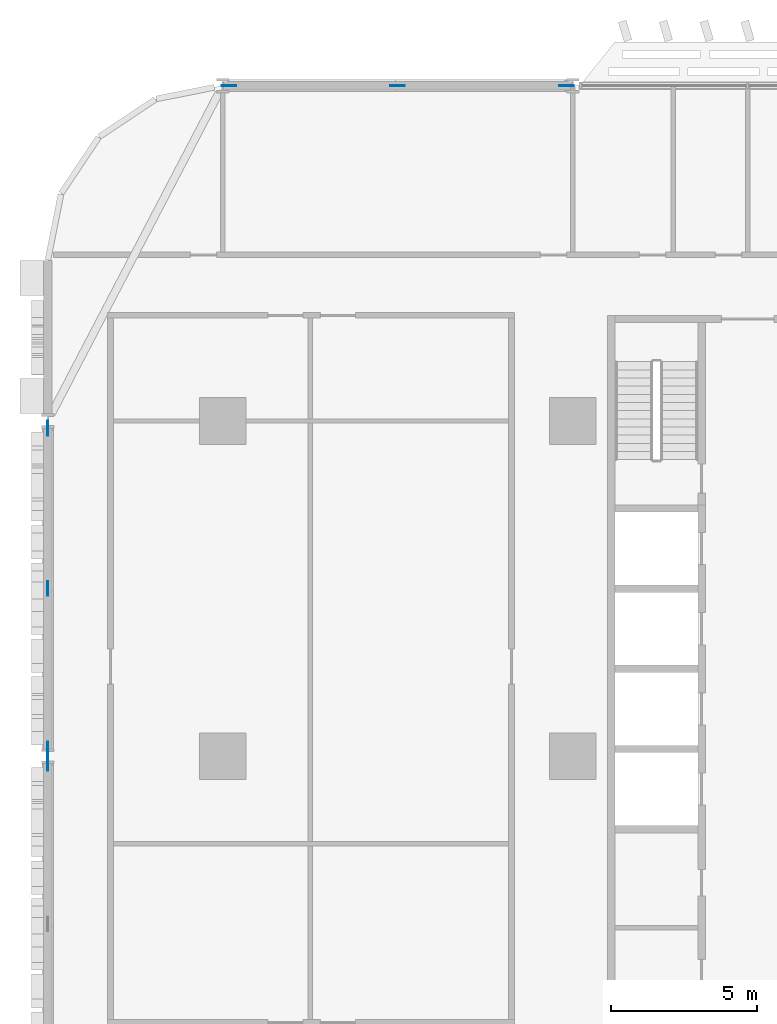
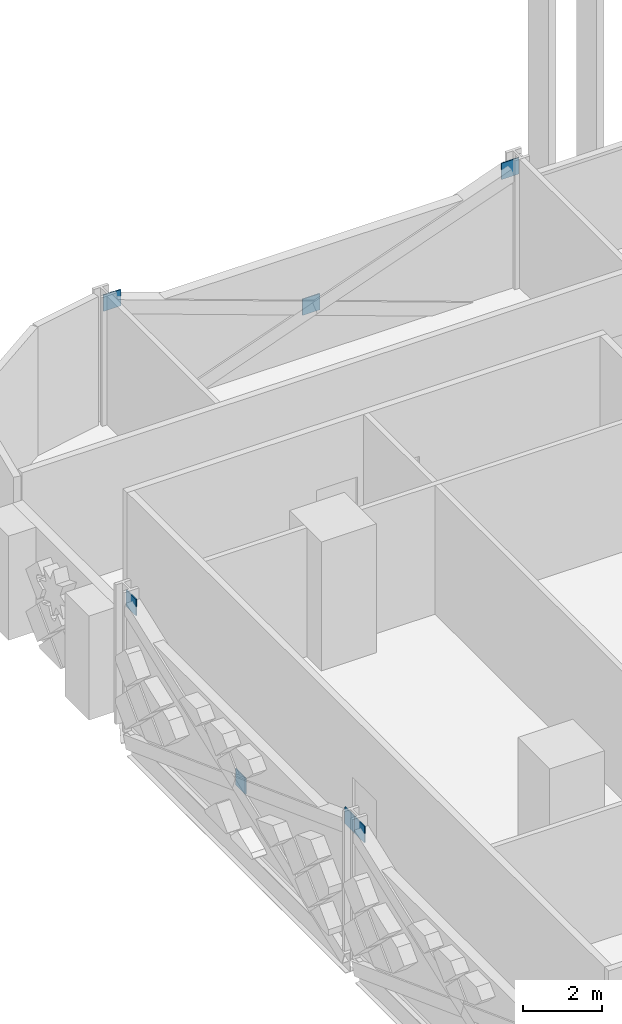
# One storey, part 19 of 31: 7 discrete accessories.
"""IFC4 building model written with IfcOpenShell, lengths in metres."""

from ifc_helpers import new_model, si_unit, direction, frame, origin, origin_2d, place, context, subcontext, project, spatial, rectangle, extrude, material, layer, layer_set, type_object, element, save


model = new_model("IFC4")

# Units and contexts
model_context = context("Model", 3, precision=1e-05, world=origin(), true_north=direction((0.0, 1.0)))
body_context = subcontext(model_context, "Body", "Model", "MODEL_VIEW")
ifc_project = project(units=[si_unit("LENGTHUNIT", "METRE"), si_unit("AREAUNIT", "SQUARE_METRE"), si_unit("VOLUMEUNIT", "CUBIC_METRE"), si_unit("PLANEANGLEUNIT", "RADIAN"), si_unit("MASSUNIT", "GRAM", prefix="KILO")], contexts=[model_context])

# Site, building, storey
site_placement = place(None, origin())
site = spatial("IfcSite", under=ifc_project, at=site_placement, CompositionType="ELEMENT")
building_placement = place(site_placement, origin())
building = spatial("IfcBuilding", under=site, at=building_placement, Name="Mahtab Terrace Research Tower", CompositionType="ELEMENT")
storey_placement = place(building_placement, frame((0.0, 0.0, 11.5)))
storey = spatial("IfcBuildingStorey", under=building, at=storey_placement, Name="L02", CompositionType="ELEMENT", Elevation=11.5)

# Discrete accessories
ifc_material = material(Name="Steel ASTM A992 Gr 50", Category="steel")
ifc_layer = layer(ifc_material, 0.030029296875)
ifc_layer_set = layer_set([ifc_layer], Name="Gusset plate 500x500x30")
discrete_accessory_type = type_object("IfcDiscreteAccessoryType", Name="Gusset plate 500x500x30", PredefinedType="USERDEFINED", material=ifc_layer_set)
for number, where, z_axis, x_axis, name in (
    (1, (-41.7841796875, 23.0, 3.33154296875), (0.0, 0.0, 1.0), (1.0, 0.0, 0.0), "Gusset plate"),
    (2, (-36.0, 23.0, 1.181640625), (0.0, 0.0, 1.0), (1.0, 0.0, 0.0), "Gusset plate"),
    (3, (-30.2158203125, 23.0, 3.33154296875), (0.0, 0.0, 1.0), (1.0, 0.0, 0.0), "Gusset plate"),
    (4, (-48.0, -0.248779296875, 3.33154296875), (0.0, 0.0, 1.0), (0.0, 1.0, 0.0), "Gusset plate"),
    (5, (-48.0, 0.248779296875, 3.33154296875), (0.0, 0.0, 1.0), (0.0, 1.0, 0.0), "Gusset plate"),
    (6, (-48.0, 5.75, 1.181396484375), (0.0, 0.0, 1.0), (0.0, 1.0, 0.0), "Gusset plate"),
    (7, (-48.0, 11.251220703125, 3.33154296875), (0.0, 0.0, 1.0), (0.0, 1.0, 0.0), "Gusset plate"),
):
    element("IfcDiscreteAccessory", number, at=place(storey_placement, frame(where, z_axis=z_axis, x_axis=x_axis)), inside=storey, type_object=discrete_accessory_type, Name=name, ObjectType="GUSSET PLATE", PredefinedType="USERDEFINED", context=body_context, shape_type="SweptSolid", body=[
        extrude(rectangle(XDim=0.5, YDim=0.030029296875, at=origin_2d()), origin(), (0.0, 0.0, 1.0), 0.5),
    ])

save(model, "model.ifc")
